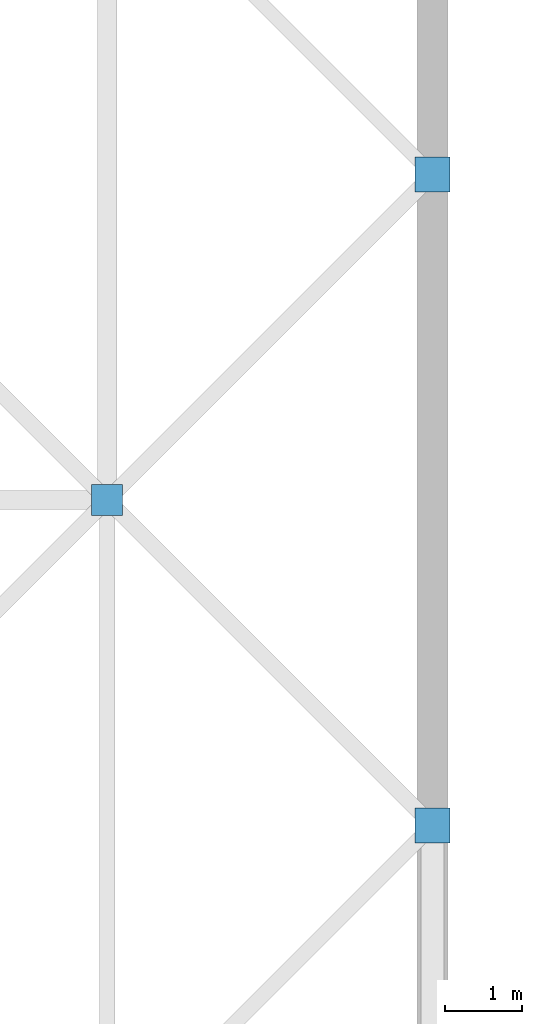
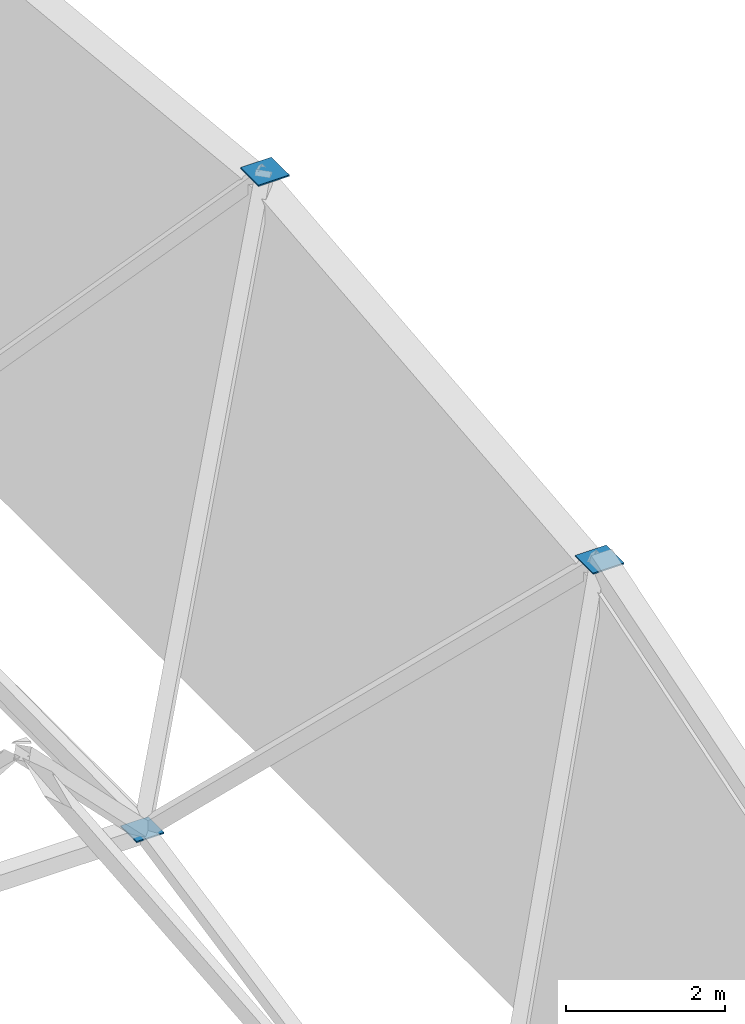
# One storey, part 103 of 111: 3 discrete accessories.
"""IFC4 building model written with IfcOpenShell, lengths in metres."""

import ifcopenshell
import ifcopenshell.guid

model = None  # the IFC model being written
_history = None  # IfcOwnerHistory: only IFC2X3 demands one
_inside = {}  # id of a spatial element -> (the spatial element, [elements in it])
_under = {}  # id of a project, library or spatial element -> (it, [spatial elements below it])
_declared = {}  # id of a project -> (the project, [libraries it declares])
_typed = {}  # id of a type object -> (the type object, [elements of that type])
_made_of = {}  # id of a material, layer set ... -> (it, [elements and type objects made of it])


def new_model(schema):
    """Start an empty IFC model of exactly this schema.

    Asked for "IFC4X3", IfcOpenShell would pick the latest addendum, in which some entities
    have other attributes; the version numbers below select the first issue.
    IFC2X3 requires an IfcOwnerHistory on every rooted entity: one is made here for all.
    """
    global model, _history
    if schema == "IFC4X3":
        model = ifcopenshell.file(schema_version=(4, 3, 0, 0))
    else:
        model = ifcopenshell.file(schema=schema)
    _inside.clear()
    _under.clear()
    _declared.clear()
    _typed.clear()
    _made_of.clear()
    _history = None
    if model.schema == "IFC2X3":
        org = make("IfcOrganization", Name="unknown")
        user = make(
            "IfcPersonAndOrganization",
            ThePerson=make("IfcPerson", FamilyName="unknown"),
            TheOrganization=org,
        )
        app = make(
            "IfcApplication",
            ApplicationDeveloper=org,
            Version="unknown",
            ApplicationFullName="unknown",
            ApplicationIdentifier="unknown",
        )
        _history = make(
            "IfcOwnerHistory",
            OwningUser=user,
            OwningApplication=app,
            ChangeAction="ADDED",
            CreationDate=0,
        )
    return model


def make(cls, **values):
    """One entity of the class cls with the attributes given. An attribute that is None is left unset."""
    return model.create_entity(
        cls, **{name: value for name, value in values.items() if value is not None}
    )


def rooted(cls, **values):
    """An entity with a GlobalId (a new one), such as an element, a storey or a relation."""
    return make(cls, GlobalId=ifcopenshell.guid.new(), OwnerHistory=_history, **values)


def si_unit(unit_type, name, prefix=None):
    """IfcSIUnit, for example si_unit("LENGTHUNIT", "METRE", prefix="MILLI")."""
    return make("IfcSIUnit", UnitType=unit_type, Prefix=prefix, Name=name)


def assignment(units):
    """IfcUnitAssignment: the units of a project."""
    return None if units is None else make("IfcUnitAssignment", Units=units)


def point(xyz):
    """IfcCartesianPoint."""
    return None if xyz is None else make("IfcCartesianPoint", Coordinates=xyz)


def direction(xyz):
    """IfcDirection."""
    return None if xyz is None else make("IfcDirection", DirectionRatios=xyz)


def frame(location, z_axis=None, x_axis=None):
    """IfcAxis2Placement3D, a coordinate frame: its origin and axes. An axis left out is left unset."""
    return make(
        "IfcAxis2Placement3D",
        Location=point(location),
        Axis=direction(z_axis),
        RefDirection=direction(x_axis),
    )


def frame_2d(location, x_axis=None):
    """IfcAxis2Placement2D, a coordinate frame in the plane: its origin and x axis."""
    return make(
        "IfcAxis2Placement2D", Location=point(location), RefDirection=direction(x_axis)
    )


def origin():
    """The frame at (0, 0, 0) with its axes left unset."""
    return frame((0.0, 0.0, 0.0))


def origin_2d():
    """The frame at (0, 0) in the plane with its x axis left unset."""
    return frame_2d((0.0, 0.0))


def place(relative_to, where):
    """IfcLocalPlacement: puts the frame where relative to a parent placement (None: the world)."""
    return make(
        "IfcLocalPlacement", PlacementRelTo=relative_to, RelativePlacement=where
    )


def context(
    kind, dimensions, precision=None, world=None, true_north=None, identifier=None
):
    """IfcGeometricRepresentationContext, for example the 3D "Model" context."""
    return make(
        "IfcGeometricRepresentationContext",
        ContextIdentifier=identifier,
        ContextType=kind,
        CoordinateSpaceDimension=dimensions,
        Precision=precision,
        WorldCoordinateSystem=world,
        TrueNorth=true_north,
    )


def subcontext(parent, identifier, kind, view, scale=None):
    """IfcGeometricRepresentationSubContext, for example "Body" below "Model"."""
    return make(
        "IfcGeometricRepresentationSubContext",
        ContextIdentifier=identifier,
        ContextType=kind,
        ParentContext=parent,
        TargetScale=scale,
        TargetView=view,
    )


def project(units=None, contexts=None):
    """IfcProject with its units and contexts."""
    return rooted(
        "IfcProject",
        Name="project",
        RepresentationContexts=contexts,
        UnitsInContext=assignment(units),
    )


def spatial(cls, under=None, at=None, **own):
    """A site, building, storey or space (cls), placed at a placement, below another one or the project."""
    s = rooted(cls, ObjectPlacement=at, **own)
    if under is not None:
        _under.setdefault(under.id(), (under, []))[1].append(s)
    return s


def profile(cls, at=None, kind="AREA", **sizes):
    """A parametric profile (cls). Its sizes go by their IFC names, for example OverallWidth=200.0."""
    return make(cls, ProfileType=kind, Position=at, **sizes)


def rectangle(**sizes):
    """IfcRectangleProfileDef."""
    return profile("IfcRectangleProfileDef", **sizes)


def extrude(swept, where, along, depth):
    """IfcExtrudedAreaSolid: the profile swept, set in the frame where, extruded along a direction by depth."""
    return make(
        "IfcExtrudedAreaSolid",
        SweptArea=swept,
        Position=where,
        ExtrudedDirection=direction(along),
        Depth=depth,
    )


def shape(context_of_items, identifier, shape_type, items):
    """IfcShapeRepresentation: the items that make up one representation, for example the "Body"."""
    return make(
        "IfcShapeRepresentation",
        ContextOfItems=context_of_items,
        RepresentationIdentifier=identifier,
        RepresentationType=shape_type,
        Items=items,
    )


def material(Name=None, Category=None):
    """IfcMaterial."""
    return make("IfcMaterial", Name=Name, Category=Category)


def layer(
    of_material, thickness, ventilated=None, Name=None, Category=None, Priority=None
):
    """IfcMaterialLayer: one layer of a wall or slab, of a material (None: an air gap)."""
    return make(
        "IfcMaterialLayer",
        Material=of_material,
        LayerThickness=thickness,
        IsVentilated=ventilated,
        Name=Name,
        Category=Category,
        Priority=Priority,
    )


def layer_set(layers, Name=None):
    """IfcMaterialLayerSet."""
    return make("IfcMaterialLayerSet", MaterialLayers=layers, LayerSetName=Name)


def made_of(thing, what):
    """Note that an element or type object is made of a material, layer set ...; save() writes the relation."""
    if what is not None:
        _made_of.setdefault(what.id(), (what, []))[1].append(thing)
    return thing


def type_object(cls, material=None, **own):
    """A type object (cls), such as IfcWallType, which elements share."""
    return made_of(rooted(cls, **own), material)


def element(
    cls,
    number,
    at=None,
    inside=None,
    cuts=None,
    type_object=None,
    material=None,
    context=None,
    identifier="Body",
    shape_type=None,
    held_by="IfcProductDefinitionShape",
    body=None,
    shapes=None,
    **own,
):
    """One element of the class cls, such as IfcWall. Its Tag is "e" and its number.

    at: its placement. inside: the storey or other place that contains it. cuts: it is an
    opening in that element (IfcRelVoidsElement). A single representation is given by context,
    identifier, shape_type and body (its items); several are given by shapes. held_by: the class
    of the entity that holds the representations. save() writes the other relations.
    """
    e = rooted(cls, Tag="e%d" % number, ObjectPlacement=at, **own)
    if body is not None:
        shapes = [shape(context, identifier, shape_type, body)]
    if shapes is not None:
        e.Representation = make(held_by, Representations=shapes)
    if inside is not None:
        _inside.setdefault(inside.id(), (inside, []))[1].append(e)
    if cuts is not None:
        rooted(
            "IfcRelVoidsElement", RelatingBuildingElement=cuts, RelatedOpeningElement=e
        )
    if type_object is not None:
        _typed.setdefault(type_object.id(), (type_object, []))[1].append(e)
    return made_of(e, material)


def aggregate(whole, parts):
    """IfcRelAggregates: a whole, such as a stair, and the parts it consists of."""
    return rooted("IfcRelAggregates", RelatingObject=whole, RelatedObjects=parts)


def save(model, path):
    """Write the relations noted so far, then the file.

    IfcRelAggregates (storeys below a building ...), IfcRelContainedInSpatialStructure (elements
    in a storey), IfcRelDefinesByType, IfcRelAssociatesMaterial and IfcRelDeclares: one each for
    every whole, place, type object, material and project.
    """
    for whole, parts in _under.values():
        aggregate(whole, parts)
    for where, things in _inside.values():
        rooted(
            "IfcRelContainedInSpatialStructure",
            RelatedElements=things,
            RelatingStructure=where,
        )
    for kind, things in _typed.values():
        rooted("IfcRelDefinesByType", RelatedObjects=things, RelatingType=kind)
    for what, things in _made_of.values():
        rooted("IfcRelAssociatesMaterial", RelatedObjects=things, RelatingMaterial=what)
    for by, libraries in _declared.values():
        rooted("IfcRelDeclares", RelatingContext=by, RelatedDefinitions=libraries)
    model.write(path)


model = new_model("IFC4")

# Units and contexts
model_context = context("Model", 3, precision=1e-05, world=origin(), true_north=direction((0.0, 1.0)))
body_context = subcontext(model_context, "Body", "Model", "MODEL_VIEW")
ifc_project = project(units=[si_unit("LENGTHUNIT", "METRE"), si_unit("AREAUNIT", "SQUARE_METRE"), si_unit("VOLUMEUNIT", "CUBIC_METRE"), si_unit("PLANEANGLEUNIT", "RADIAN"), si_unit("MASSUNIT", "GRAM", prefix="KILO")], contexts=[model_context])

# Site, building, storey
site_placement = place(None, origin())
site = spatial("IfcSite", under=ifc_project, at=site_placement, CompositionType="ELEMENT")
building_placement = place(site_placement, origin())
building = spatial("IfcBuilding", under=site, at=building_placement, Name="Rain Tree Exposition and Congress Centre", CompositionType="ELEMENT")
storey_placement = place(building_placement, frame((0.0, 0.0, 19.5)))
storey = spatial("IfcBuildingStorey", under=building, at=storey_placement, Name="RF", CompositionType="ELEMENT", Elevation=19.5)

# Discrete accessories
ifc_material_1 = material(Name="Steel plate S355J2", Category="steel")
ifc_layer_1 = layer(ifc_material_1, 0.02001953125)
ifc_layer_set_1 = layer_set([ifc_layer_1], Name="Steel plate S355J2")
discrete_accessory_type_1 = type_object("IfcDiscreteAccessoryType", Name="Brace node plate 400x400x20", PredefinedType="BRACKET", material=ifc_layer_set_1)
discrete_accessory_placement = place(storey_placement, frame((239.39990234375, 121.800048828125, 2.678955078125), z_axis=(0.0, 0.0, 1.0), x_axis=(1.0, 0.0, 0.0)))
element("IfcDiscreteAccessory", 1, at=discrete_accessory_placement, inside=storey, type_object=discrete_accessory_type_1, Name="Brace node plate 400", PredefinedType="BRACKET", context=body_context, shape_type="SweptSolid", body=[
    extrude(rectangle(XDim=0.39990234375, YDim=0.39990234375, at=origin_2d()), origin(), (0.0, 0.0, 1.0), 0.02001953125),
])
ifc_material_2 = material(Name="Steel plate S355J2", Category="steel")
ifc_layer_2 = layer(ifc_material_2, 0.02001953125)
ifc_layer_set_2 = layer_set([ifc_layer_2], Name="Steel plate S355J2")
discrete_accessory_type_2 = type_object("IfcDiscreteAccessoryType", Name="Brace node plate 450x450x20", PredefinedType="BRACKET", material=ifc_layer_set_2)
for number, where, z_axis, x_axis, name in (
    (2, (243.60009765625, 117.60009765625, 7.890869140625), (0.0, 0.0, 1.0), (1.0, 0.0, 0.0), "Brace node plate 450"),
    (3, (243.60009765625, 126.0, 8.739990234375), (0.0, 0.0, 1.0), (1.0, 0.0, 0.0), "Brace node plate 450"),
):
    element("IfcDiscreteAccessory", number, at=place(storey_placement, frame(where, z_axis=z_axis, x_axis=x_axis)), inside=storey, type_object=discrete_accessory_type_2, Name=name, PredefinedType="BRACKET", context=body_context, shape_type="SweptSolid", body=[
        extrude(rectangle(XDim=0.449951171875, YDim=0.449951171875, at=origin_2d()), origin(), (0.0, 0.0, 1.0), 0.02001953125),
    ])

save(model, "model.ifc")
